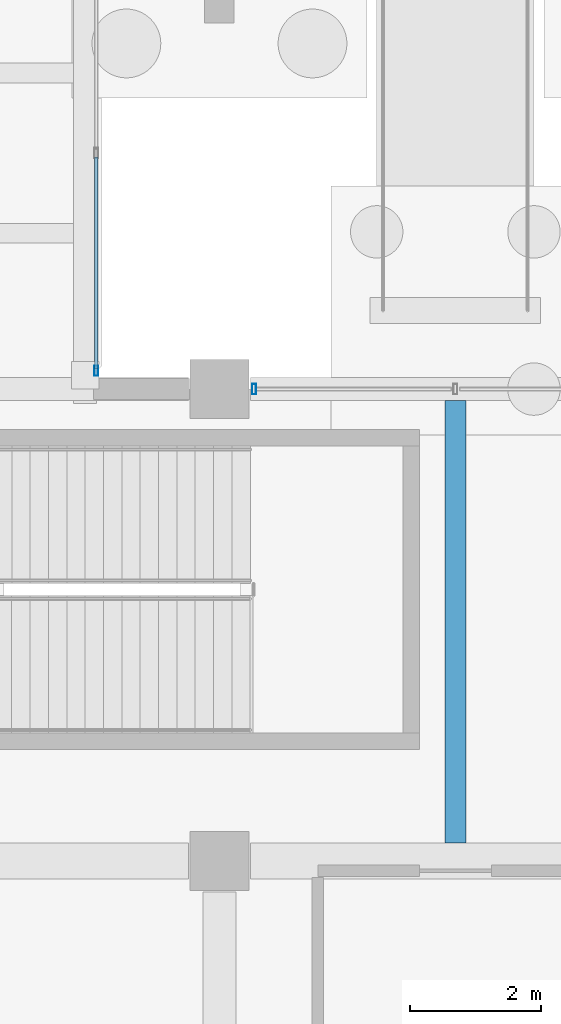
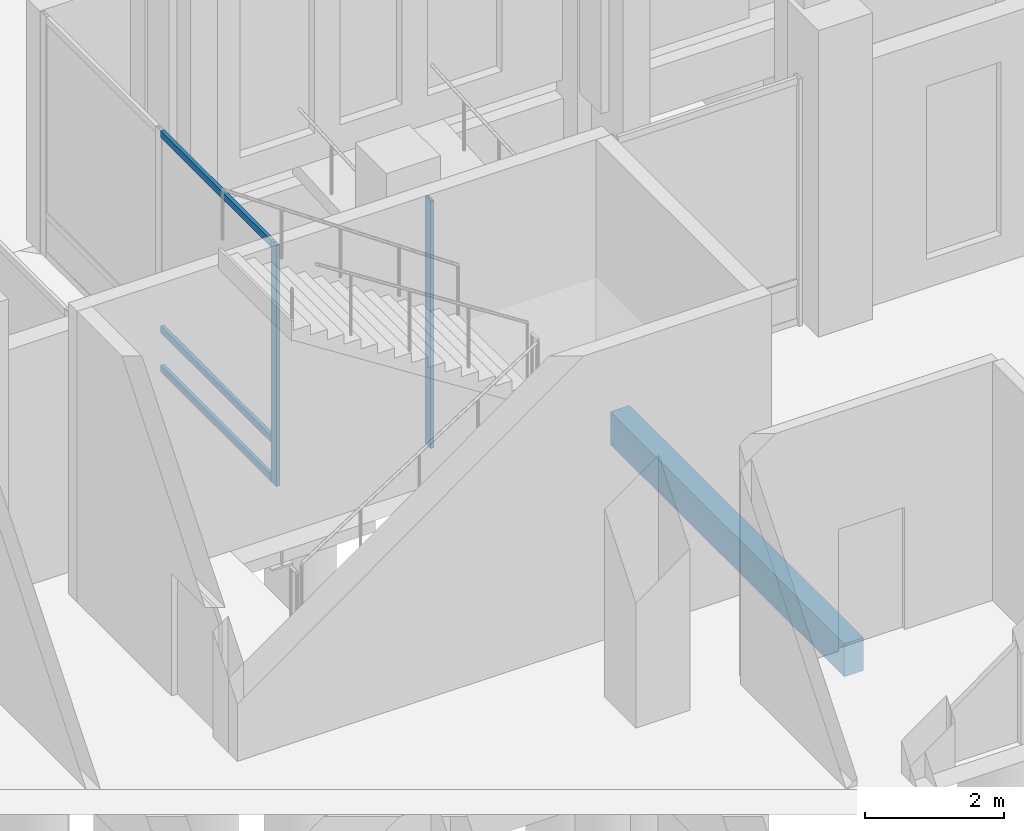
# One storey, part 87 of 192: 5 members, 1 beam, 2 elements without a shape of their own.
"""IFC4 building model written with IfcOpenShell, lengths in metres."""

from ifc_helpers import new_model, si_unit, direction, frame, origin, origin_2d, place, context, subcontext, project, spatial, rectangle, hollow_rectangle, extrude, material, material_profile, profile_set, type_object, element, aggregate, save


model = new_model("IFC4")

# Units and contexts
model_context = context("Model", 3, precision=1e-05, world=origin(), true_north=direction((0.0, 1.0)))
body_context = subcontext(model_context, "Body", "Model", "MODEL_VIEW")
ifc_project = project(units=[si_unit("LENGTHUNIT", "METRE"), si_unit("AREAUNIT", "SQUARE_METRE"), si_unit("VOLUMEUNIT", "CUBIC_METRE"), si_unit("PLANEANGLEUNIT", "RADIAN"), si_unit("MASSUNIT", "GRAM", prefix="KILO")], contexts=[model_context])

# Site, building, storey
site_placement = place(None, origin())
site = spatial("IfcSite", under=ifc_project, at=site_placement, CompositionType="ELEMENT")
building_placement = place(site_placement, origin())
building = spatial("IfcBuilding", under=site, at=building_placement, Name="Cendralis Lancet Convention Centre", CompositionType="ELEMENT")
storey_placement = place(building_placement, origin())
storey = spatial("IfcBuildingStorey", under=building, at=storey_placement, Name="L00", CompositionType="ELEMENT", Elevation=0.0)

# Curtain wall, member
ifc_material_1 = material(Name="Anodised bronze architectural aluminium", Category="aluminium")
curtain_wall_type_1 = type_object("IfcCurtainWallType", Name="ARC-CW-CL01", PredefinedType="USERDEFINED", material=ifc_material_1)
curtain_wall_1_placement = place(storey_placement, origin())
curtain_wall_1 = element("IfcCurtainWall", 1, at=curtain_wall_1_placement, inside=storey, type_object=curtain_wall_type_1, Name="L00 Curtain Wall CW-CL1 #179", ObjectType="CURTAIN WALL", PredefinedType="USERDEFINED")
ifc_material_profile_1 = material_profile(ifc_material_1, hollow_rectangle(XDim=0.06005859375, YDim=0.159912109375, WallThickness=0.00390625, at=origin_2d()), Name="AL-MULL 60x160x4.0")
ifc_profile_set_1 = profile_set([ifc_material_profile_1], Name="Anodised bronze architectural aluminium")
member_type_1 = type_object("IfcMemberType", Name="ARC-CW-ML01", PredefinedType="MULLION", material=ifc_profile_set_1)
member_1_placement = place(storey_placement, frame((154.1298828125, 36.0, 0.0), z_axis=(0.0, 0.0, 1.0), x_axis=(1.0, 0.0, 0.0)))
member_1 = element("IfcMember", 2, at=member_1_placement, type_object=member_type_1, Name="Mullion CW2-CW-CL1-L00-179-M0", PredefinedType="MULLION", context=body_context, shape_type="SweptSolid", body=[
    extrude(hollow_rectangle(XDim=0.06005859375, YDim=0.159912109375, WallThickness=0.00390625, at=origin_2d()), origin(), (0.0, 0.0, 1.0), 4.35498046875),
])
aggregate(curtain_wall_1, [member_1])

# Curtain wall, members
curtain_wall_type_2 = type_object("IfcCurtainWallType", Name="ARC-CW-BR01", PredefinedType="USERDEFINED", material=ifc_material_1)
curtain_wall_2_placement = place(storey_placement, origin())
curtain_wall_2 = element("IfcCurtainWall", 3, at=curtain_wall_2_placement, inside=storey, type_object=curtain_wall_type_2, Name="L00 Curtain Wall CW-BR1 #212", ObjectType="CURTAIN WALL", PredefinedType="USERDEFINED")
member_2_placement = place(storey_placement, frame((151.719970703125, 36.280029296875, 0.0), z_axis=(0.0, 0.0, 1.0), x_axis=(1.0, 0.0, 0.0)))
member_2 = element("IfcMember", 4, at=member_2_placement, type_object=member_type_1, Name="Mullion CW2-CW-BR1-L00-212-M0", PredefinedType="MULLION", context=body_context, shape_type="SweptSolid", body=[
    extrude(hollow_rectangle(XDim=0.06005859375, YDim=0.159912109375, WallThickness=0.00390625, at=origin_2d()), origin(), (0.0, 0.0, 1.0), 4.25),
])
ifc_material_profile_2 = material_profile(ifc_material_1, hollow_rectangle(XDim=0.06005859375, YDim=0.1201171875, WallThickness=0.00390625, at=origin_2d()), Name="AL-TRAN 60x120x4.0")
ifc_profile_set_2 = profile_set([ifc_material_profile_2], Name="Anodised bronze architectural aluminium")
member_type_2 = type_object("IfcMemberType", Name="ARC-CW-TR01", PredefinedType="USERDEFINED", material=ifc_profile_set_2)
member_3_placement = place(storey_placement, frame((151.719970703125, 36.31005859375, 0.06005859375), z_axis=(0.0, 1.0, 0.0), x_axis=(-1.0, 0.0, 0.0)))
member_3 = element("IfcMember", 5, at=member_3_placement, type_object=member_type_2, Name="Transom CW2-CW-BR1-L00-212-T0BOT", ObjectType="TRANSOM", PredefinedType="USERDEFINED", context=body_context, shape_type="SweptSolid", body=[
    extrude(hollow_rectangle(XDim=0.06005859375, YDim=0.1201171875, WallThickness=0.00390625, at=origin_2d()), origin(), (0.0, 0.0, 1.0), 3.22998046875),
])
member_4_placement = place(storey_placement, frame((151.719970703125, 36.31005859375, 0.75), z_axis=(0.0, 1.0, 0.0), x_axis=(-1.0, 0.0, 0.0)))
member_4 = element("IfcMember", 6, at=member_4_placement, type_object=member_type_2, Name="Transom CW2-CW-BR1-L00-212-T0MID", ObjectType="TRANSOM", PredefinedType="USERDEFINED", context=body_context, shape_type="SweptSolid", body=[
    extrude(hollow_rectangle(XDim=0.06005859375, YDim=0.1201171875, WallThickness=0.00390625, at=origin_2d()), origin(), (0.0, 0.0, 1.0), 3.22998046875),
])
member_5_placement = place(storey_placement, frame((151.719970703125, 36.31005859375, 4.18994140625), z_axis=(0.0, 1.0, 0.0), x_axis=(-1.0, 0.0, 0.0)))
member_5 = element("IfcMember", 7, at=member_5_placement, type_object=member_type_2, Name="Transom CW2-CW-BR1-L00-212-T0TOP", ObjectType="TRANSOM", PredefinedType="USERDEFINED", context=body_context, shape_type="SweptSolid", body=[
    extrude(hollow_rectangle(XDim=0.06005859375, YDim=0.1201171875, WallThickness=0.00390625, at=origin_2d()), origin(), (0.0, 0.0, 1.0), 3.22998046875),
])
aggregate(curtain_wall_2, [member_2, member_3, member_4, member_5])

# Beam
ifc_material_2 = material(Name="Concrete G35 (C35/45)", Category="concrete")
ifc_material_profile_3 = material_profile(ifc_material_2, rectangle(XDim=0.320068359375, YDim=0.580078125, at=origin_2d()), Name="RCB 320x580")
ifc_profile_set_3 = profile_set([ifc_material_profile_3], Name="Concrete G35 (C35/45)")
beam_type = type_object("IfcBeamType", Name="STR-JS-BJ01", PredefinedType="JOIST", material=ifc_profile_set_3)
beam_placement = place(storey_placement, frame((157.199951171875, 29.074951171875, -0.610107421875), z_axis=(0.0, 1.0, 0.0), x_axis=(-1.0, 0.0, 0.0)))
element("IfcBeam", 8, at=beam_placement, inside=storey, type_object=beam_type, Name="L00 Beam BJ01 #0106", PredefinedType="JOIST", context=body_context, shape_type="SweptSolid", body=[
    extrude(rectangle(XDim=0.320068359375, YDim=0.580078125, at=origin_2d()), origin(), (0.0, 0.0, 1.0), 6.75),
])

save(model, "model.ifc")
